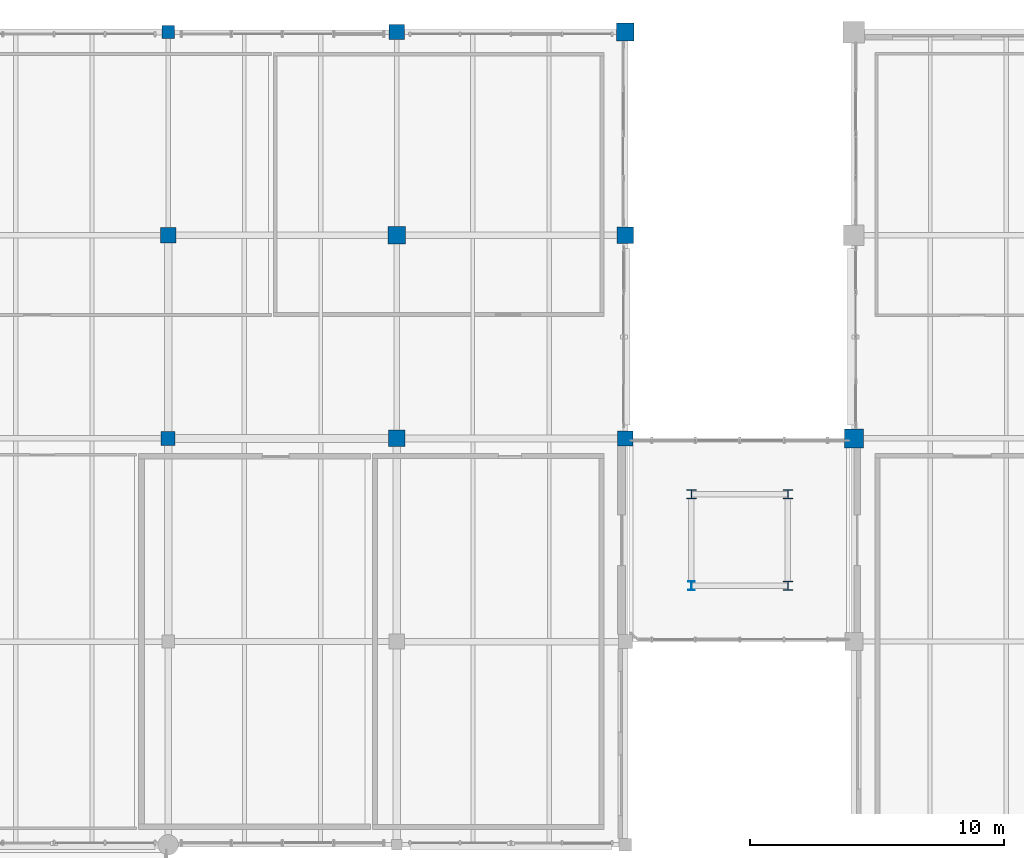
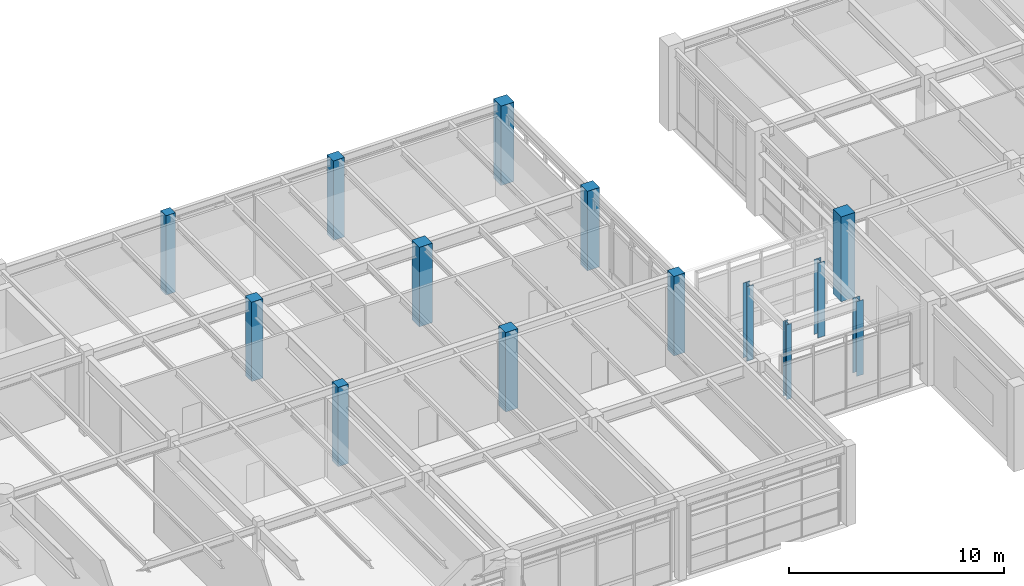
# One storey, part 10 of 200: 14 columns.
"""IFC4 building model written with IfcOpenShell, lengths in metres."""

from ifc_helpers import new_model, si_unit, direction, frame, origin, origin_2d, place, context, subcontext, project, spatial, rectangle, i_section, extrude, material, material_profile, profile_set, type_object, element, save


model = new_model("IFC4")

# Units and contexts
model_context = context("Model", 3, precision=1e-05, world=origin(), true_north=direction((0.0, 1.0)))
body_context = subcontext(model_context, "Body", "Model", "MODEL_VIEW")
ifc_project = project(units=[si_unit("LENGTHUNIT", "METRE"), si_unit("AREAUNIT", "SQUARE_METRE"), si_unit("VOLUMEUNIT", "CUBIC_METRE"), si_unit("PLANEANGLEUNIT", "RADIAN"), si_unit("MASSUNIT", "GRAM", prefix="KILO"), si_unit("THERMODYNAMICTEMPERATUREUNIT", "KELVIN"), si_unit("POWERUNIT", "WATT")], contexts=[model_context])

# Site, building, storey
site_placement = place(None, origin())
site = spatial("IfcSite", under=ifc_project, at=site_placement, CompositionType="ELEMENT")
building_placement = place(site_placement, origin())
building = spatial("IfcBuilding", under=site, at=building_placement, Name="Tepalcoro Natatorium and Aquatics Centre", CompositionType="ELEMENT")
storey_placement = place(building_placement, frame((0.0, 0.0, 5.39990234375)))
storey = spatial("IfcBuildingStorey", under=building, at=storey_placement, Name="L01", CompositionType="ELEMENT", Elevation=5.39990234375)

# Columns
ifc_material_1 = material(Name="Concrete C40/50 (fc 40 MPa)", Category="concrete")
ifc_material_profile_1 = material_profile(ifc_material_1, rectangle(XDim=0.5, YDim=0.5, at=origin_2d()), Name="RC500x500")
ifc_profile_set_1 = profile_set([ifc_material_profile_1], Name="Concrete C40/50 (fc 40 MPa)")
column_type_1 = type_object("IfcColumnType", Name="COL_RC_500x500", PredefinedType="COLUMN", material=ifc_profile_set_1)
column_1_placement = place(storey_placement, frame((71.0, 118.0, 0.0), z_axis=(0.0, 0.0, 1.0), x_axis=(1.0, 0.0, 0.0)))
element("IfcColumn", 1, at=column_1_placement, inside=storey, type_object=column_type_1, Name="V4 L01 Grid Column (71.0, 118.0)", PredefinedType="COLUMN", context=body_context, shape_type="SweptSolid", body=[
    extrude(rectangle(XDim=0.5, YDim=0.5, at=origin_2d()), origin(), (0.0, 0.0, 1.0), 4.5),
])
ifc_material_profile_2 = material_profile(ifc_material_1, rectangle(XDim=0.550048828125, YDim=0.550048828125, at=origin_2d()), Name="RC550x550")
ifc_profile_set_2 = profile_set([ifc_material_profile_2], Name="Concrete C40/50 (fc 40 MPa)")
column_type_2 = type_object("IfcColumnType", Name="COL_RC_550x550", PredefinedType="COLUMN", material=ifc_profile_set_2)
column_2_placement = place(storey_placement, frame((71.0, 102.0, 0.0), z_axis=(0.0, 0.0, 1.0), x_axis=(1.0, 0.0, 0.0)))
element("IfcColumn", 2, at=column_2_placement, inside=storey, type_object=column_type_2, Name="V4 L01 Grid Column (71.0, 102.0)", PredefinedType="COLUMN", context=body_context, shape_type="SweptSolid", body=[
    extrude(rectangle(XDim=0.550048828125, YDim=0.550048828125, at=origin_2d()), origin(), (0.0, 0.0, 1.0), 4.5),
])
ifc_material_profile_3 = material_profile(ifc_material_1, rectangle(XDim=0.60009765625, YDim=0.60009765625, at=origin_2d()), Name="RC600x600")
ifc_profile_set_3 = profile_set([ifc_material_profile_3], Name="Concrete C40/50 (fc 40 MPa)")
column_type_3 = type_object("IfcColumnType", Name="COL_RC_600x600", PredefinedType="COLUMN", material=ifc_profile_set_3)
for number, where, z_axis, x_axis, name in (
    (3, (71.0, 110.0, 0.0), (0.0, 0.0, 1.0), (1.0, 0.0, 0.0), "V4 L01 Grid Column (71.0, 110.0)"),
    (4, (80.0, 118.0, 0.0), (0.0, 0.0, 1.0), (1.0, 0.0, 0.0), "V4 L01 Grid Column (80.0, 118.0)"),
    (5, (89.0, 102.0, 0.0), (0.0, 0.0, 1.0), (1.0, 0.0, 0.0), "V4 L01 Grid Column (89.0, 102.0)"),
):
    element("IfcColumn", number, at=place(storey_placement, frame(where, z_axis=z_axis, x_axis=x_axis)), inside=storey, type_object=column_type_3, Name=name, PredefinedType="COLUMN", context=body_context, shape_type="SweptSolid", body=[
        extrude(rectangle(XDim=0.60009765625, YDim=0.60009765625, at=origin_2d()), origin(), (0.0, 0.0, 1.0), 4.5),
    ])
ifc_material_profile_4 = material_profile(ifc_material_1, rectangle(XDim=0.64990234375, YDim=0.64990234375, at=origin_2d()), Name="RC650x650")
ifc_profile_set_4 = profile_set([ifc_material_profile_4], Name="Concrete C40/50 (fc 40 MPa)")
column_type_4 = type_object("IfcColumnType", Name="COL_RC_650x650", PredefinedType="COLUMN", material=ifc_profile_set_4)
for number, where, z_axis, x_axis, name in (
    (6, (80.0, 102.0, 0.0), (0.0, 0.0, 1.0), (1.0, 0.0, 0.0), "V4 L01 Grid Column (80.0, 102.0)"),
    (7, (89.0, 110.0, 0.0), (0.0, 0.0, 1.0), (1.0, 0.0, 0.0), "V4 L01 Grid Column (89.0, 110.0)"),
):
    element("IfcColumn", number, at=place(storey_placement, frame(where, z_axis=z_axis, x_axis=x_axis)), inside=storey, type_object=column_type_4, Name=name, PredefinedType="COLUMN", context=body_context, shape_type="SweptSolid", body=[
        extrude(rectangle(XDim=0.64990234375, YDim=0.64990234375, at=origin_2d()), origin(), (0.0, 0.0, 1.0), 4.5),
    ])
ifc_material_profile_5 = material_profile(ifc_material_1, rectangle(XDim=0.699951171875, YDim=0.699951171875, at=origin_2d()), Name="RC700x700")
ifc_profile_set_5 = profile_set([ifc_material_profile_5], Name="Concrete C40/50 (fc 40 MPa)")
column_type_5 = type_object("IfcColumnType", Name="COL_RC_700x700", PredefinedType="COLUMN", material=ifc_profile_set_5)
for number, where, z_axis, x_axis, name in (
    (8, (80.0, 110.0, 0.0), (0.0, 0.0, 1.0), (1.0, 0.0, 0.0), "V4 L01 Grid Column (80.0, 110.0)"),
    (9, (89.0, 118.0, 0.0), (0.0, 0.0, 1.0), (1.0, 0.0, 0.0), "V4 L01 Grid Column (89.0, 118.0)"),
):
    element("IfcColumn", number, at=place(storey_placement, frame(where, z_axis=z_axis, x_axis=x_axis)), inside=storey, type_object=column_type_5, Name=name, PredefinedType="COLUMN", context=body_context, shape_type="SweptSolid", body=[
        extrude(rectangle(XDim=0.699951171875, YDim=0.699951171875, at=origin_2d()), origin(), (0.0, 0.0, 1.0), 4.5),
    ])
ifc_material_profile_6 = material_profile(ifc_material_1, rectangle(XDim=0.75, YDim=0.75, at=origin_2d()), Name="RC750x750")
ifc_profile_set_6 = profile_set([ifc_material_profile_6], Name="Concrete C40/50 (fc 40 MPa)")
column_type_6 = type_object("IfcColumnType", Name="COL_RC_750x750", PredefinedType="COLUMN", material=ifc_profile_set_6)
column_3_placement = place(storey_placement, frame((98.0, 102.0, 0.0), z_axis=(0.0, 0.0, 1.0), x_axis=(1.0, 0.0, 0.0)))
element("IfcColumn", 10, at=column_3_placement, inside=storey, type_object=column_type_6, Name="V5 L01 Grid Column (98.0, 102.0)", PredefinedType="COLUMN", context=body_context, shape_type="SweptSolid", body=[
    extrude(rectangle(XDim=0.75, YDim=0.75, at=origin_2d()), origin(), (0.0, 0.0, 1.0), 4.800048828125),
])
ifc_material_2 = material(Name="Steel ASTM A992 Grade 50 (Fy 345 MPa)", Category="steel")
ifc_material_profile_7 = material_profile(ifc_material_2, i_section(OverallWidth=0.373046875, OverallDepth=0.367919921875, WebThickness=0.014892578125, FlangeThickness=0.02392578125, FilletRadius=0.013916015625, at=origin_2d()), Name="W14X120")
ifc_profile_set_7 = profile_set([ifc_material_profile_7], Name="Steel ASTM A992 Grade 50 (Fy 345 MPa)")
column_type_7 = type_object("IfcColumnType", Name="COL_W14x120", PredefinedType="COLUMN", material=ifc_profile_set_7)
column_4_placement = place(storey_placement, frame((95.39990234375, 99.800048828125, 0.0), z_axis=(0.0, 0.0, 1.0), x_axis=(1.0, 0.0, 0.0)))
element("IfcColumn", 11, at=column_4_placement, inside=storey, type_object=column_type_7, Name="North Spine Seismic Link Column L01", PredefinedType="COLUMN", context=body_context, shape_type="SweptSolid", body=[
    extrude(i_section(OverallWidth=0.373046875, OverallDepth=0.367919921875, WebThickness=0.014892578125, FlangeThickness=0.02392578125, FilletRadius=0.013916015625, at=origin_2d()), origin(), (0.0, 0.0, 1.0), 4.239990234375),
])
ifc_material_profile_8 = material_profile(ifc_material_2, i_section(OverallWidth=0.25390625, OverallDepth=0.35595703125, WebThickness=0.010986328125, FlangeThickness=0.01806640625, FilletRadius=0.013916015625, at=origin_2d()), Name="W14X68")
ifc_profile_set_8 = profile_set([ifc_material_profile_8], Name="Steel ASTM A992 Grade 50 (Fy 345 MPa)")
column_type_8 = type_object("IfcColumnType", Name="COL_W14x68", PredefinedType="COLUMN", material=ifc_profile_set_8)
column_5_placement = place(storey_placement, frame((91.60009765625, 96.199951171875, 0.0), z_axis=(0.0, 0.0, 1.0), x_axis=(1.0, 0.0, 0.0)))
element("IfcColumn", 12, at=column_5_placement, inside=storey, type_object=column_type_8, Name="North Spine Seismic Link Column L01", PredefinedType="COLUMN", context=body_context, shape_type="SweptSolid", body=[
    extrude(i_section(OverallWidth=0.25390625, OverallDepth=0.35595703125, WebThickness=0.010986328125, FlangeThickness=0.01806640625, FilletRadius=0.013916015625, at=origin_2d()), origin(), (0.0, 0.0, 1.0), 4.239990234375),
])
ifc_material_profile_9 = material_profile(ifc_material_2, i_section(OverallWidth=0.367919921875, OverallDepth=0.35595703125, WebThickness=0.010986328125, FlangeThickness=0.01806640625, FilletRadius=0.013916015625, at=origin_2d()), Name="W14X90")
ifc_profile_set_9 = profile_set([ifc_material_profile_9], Name="Steel ASTM A992 Grade 50 (Fy 345 MPa)")
column_type_9 = type_object("IfcColumnType", Name="COL_W14x90", PredefinedType="COLUMN", material=ifc_profile_set_9)
for number, where, z_axis, x_axis, name in (
    (13, (91.60009765625, 99.800048828125, 0.0), (0.0, 0.0, 1.0), (1.0, 0.0, 0.0), "North Spine Seismic Link Column L01"),
    (14, (95.39990234375, 96.199951171875, 0.0), (0.0, 0.0, 1.0), (1.0, 0.0, 0.0), "North Spine Seismic Link Column L01"),
):
    element("IfcColumn", number, at=place(storey_placement, frame(where, z_axis=z_axis, x_axis=x_axis)), inside=storey, type_object=column_type_9, Name=name, PredefinedType="COLUMN", context=body_context, shape_type="SweptSolid", body=[
        extrude(i_section(OverallWidth=0.367919921875, OverallDepth=0.35595703125, WebThickness=0.010986328125, FlangeThickness=0.01806640625, FilletRadius=0.013916015625, at=origin_2d()), origin(), (0.0, 0.0, 1.0), 4.239990234375),
    ])

save(model, "model.ifc")
